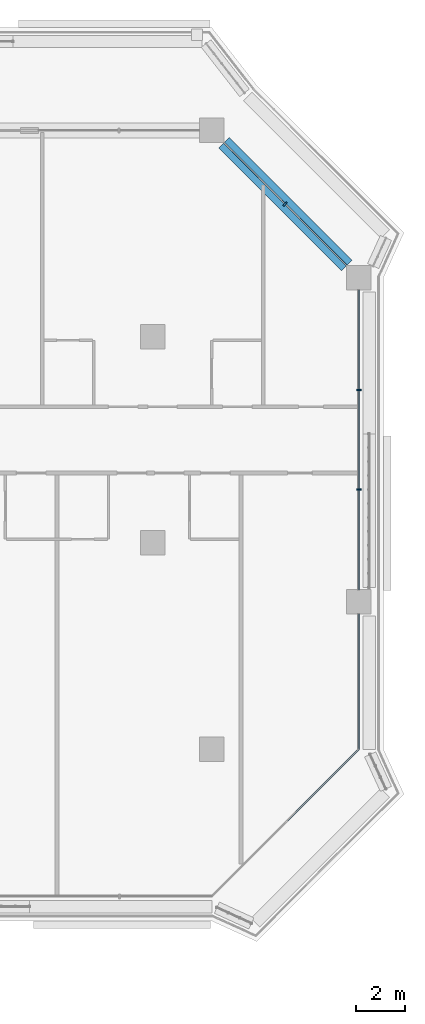
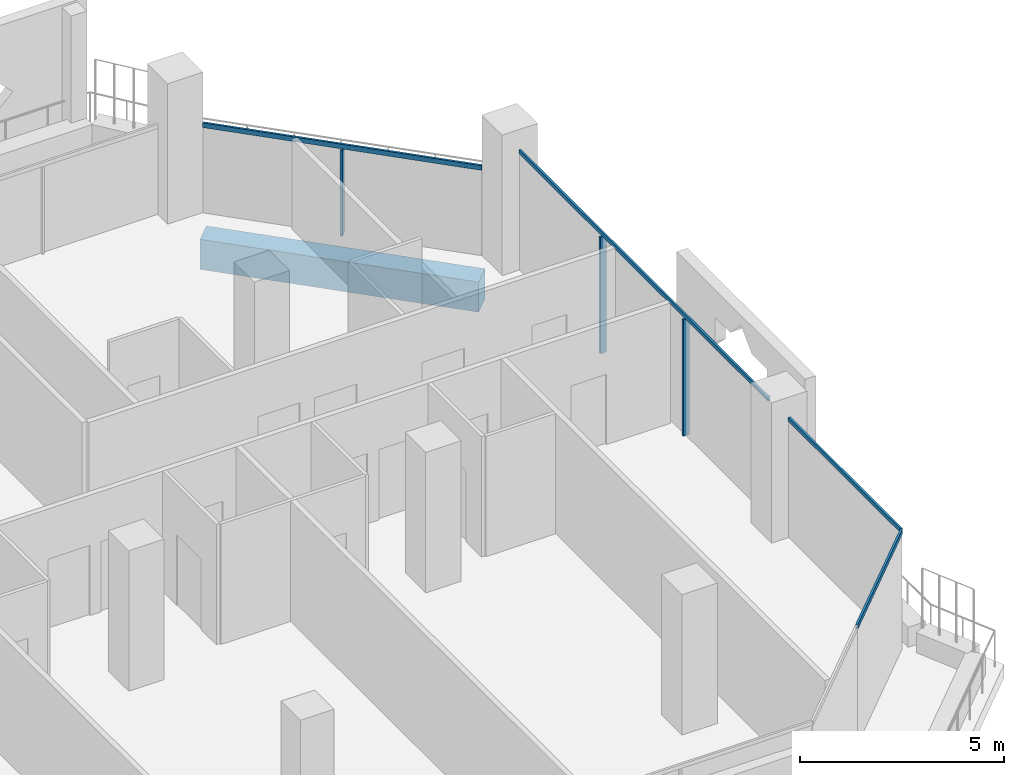
# One storey, part 7 of 22: 7 members, 1 beam, 3 elements without a shape of their own.
"""IFC4 building model written with IfcOpenShell, lengths in metres."""

from ifc_helpers import new_model, si_unit, direction, frame, origin, origin_2d, place, context, subcontext, project, spatial, rectangle, extrude, material, layer, layer_set, material_profile, profile_set, type_object, element, aggregate, save


model = new_model("IFC4")

# Units and contexts
model_context = context("Model", 3, precision=1e-05, world=origin(), true_north=direction((0.0, 1.0)))
body_context = subcontext(model_context, "Body", "Model", "MODEL_VIEW")
ifc_project = project(units=[si_unit("LENGTHUNIT", "METRE"), si_unit("AREAUNIT", "SQUARE_METRE"), si_unit("VOLUMEUNIT", "CUBIC_METRE"), si_unit("PLANEANGLEUNIT", "RADIAN"), si_unit("MASSUNIT", "GRAM", prefix="KILO")], contexts=[model_context])

# Site, building, storey
site_placement = place(None, origin())
site = spatial("IfcSite", under=ifc_project, at=site_placement, CompositionType="ELEMENT")
building_placement = place(site_placement, origin())
building = spatial("IfcBuilding", under=site, at=building_placement, Name="Kawkab Arch Medical Tower", CompositionType="ELEMENT")
storey_placement = place(building_placement, frame((0.0, 0.0, 187.800048828125)))
storey = spatial("IfcBuildingStorey", under=building, at=storey_placement, Name="L43", CompositionType="ELEMENT", Elevation=187.800048828125)

# Curtain wall, members
ifc_material_1 = material(Name="Bronze anodised aluminium curtain wall frame", Category="aluminium")
ifc_layer_1 = layer(ifc_material_1, 0.159912109375)
ifc_layer_set_1 = layer_set([ifc_layer_1], Name="Bronze anodised aluminium curtain wall frame")
curtain_wall_type_1 = type_object("IfcCurtainWallType", Name="CW1 ward curtain wall", PredefinedType="NOTDEFINED", material=ifc_layer_set_1)
placement = place(storey_placement, origin())
curtain_wall_1 = element("IfcCurtainWall", 1, at=placement, inside=storey, type_object=curtain_wall_type_1, Name="CW1 Ward curtain wall R09", PredefinedType="NOTDEFINED")
ifc_material_2 = material(Name="Bronze anodised aluminium curtain wall frame", Category="aluminium")
ifc_material_profile_1 = material_profile(ifc_material_2, rectangle(XDim=0.179931640625, YDim=0.06005859375, at=origin_2d()), Name="AL 60x180")
ifc_profile_set_1 = profile_set([ifc_material_profile_1], Name="Bronze anodised aluminium curtain wall frame")
member_type_1 = type_object("IfcMemberType", Name="CW1 mullion 60 x 180", PredefinedType="MULLION", material=ifc_profile_set_1)
member_1_placement = place(storey_placement, frame((67.199951171875, -14.63330078125, 0.0), z_axis=(0.0, 0.0, 1.0), x_axis=(-1.0, 0.0, 0.0)))
member_1 = element("IfcMember", 2, at=member_1_placement, type_object=member_type_1, Name="CW1 mullion 2.1", PredefinedType="MULLION", context=body_context, shape_type="SweptSolid", body=[
    extrude(rectangle(XDim=0.179931640625, YDim=0.06005859375, at=origin_2d()), origin(), (0.0, 0.0, 1.0), 3.47998046875),
])
member_2_placement = place(storey_placement, frame((67.199951171875, -10.566650390625, 0.0), z_axis=(0.0, 0.0, 1.0), x_axis=(-1.0, 0.0, 0.0)))
member_2 = element("IfcMember", 3, at=member_2_placement, type_object=member_type_1, Name="CW1 mullion 2.2", PredefinedType="MULLION", context=body_context, shape_type="SweptSolid", body=[
    extrude(rectangle(XDim=0.179931640625, YDim=0.06005859375, at=origin_2d()), origin(), (0.0, 0.0, 1.0), 3.47998046875),
])
ifc_material_3 = material(Name="Bronze anodised aluminium curtain wall frame", Category="aluminium")
ifc_material_profile_2 = material_profile(ifc_material_3, rectangle(XDim=0.06005859375, YDim=0.1201171875, at=origin_2d()), Name="AL 60x120")
ifc_profile_set_2 = profile_set([ifc_material_profile_2], Name="Bronze anodised aluminium curtain wall frame")
member_type_2 = type_object("IfcMemberType", Name="CW1 transom 120 x 60", PredefinedType="USERDEFINED", material=ifc_profile_set_2)
member_3_placement = place(storey_placement, frame((67.199951171875, -25.199951171875, 3.5400390625), z_axis=(0.0, 1.0, 0.0), x_axis=(-1.0, 0.0, 0.0)))
member_3 = element("IfcMember", 4, at=member_3_placement, type_object=member_type_2, Name="CW1 transom 1", ObjectType="TRANSOM", PredefinedType="USERDEFINED", context=body_context, shape_type="SweptSolid", body=[
    extrude(rectangle(XDim=0.06005859375, YDim=0.1201171875, at=origin_2d()), origin(), (0.0, 0.0, 1.0), 5.5),
])
member_4_placement = place(storey_placement, frame((67.199951171875, -18.699951171875, 3.5400390625), z_axis=(0.0, 1.0, 0.0), x_axis=(-1.0, 0.0, 0.0)))
member_4 = element("IfcMember", 5, at=member_4_placement, type_object=member_type_2, Name="CW1 transom 2", ObjectType="TRANSOM", PredefinedType="USERDEFINED", context=body_context, shape_type="SweptSolid", body=[
    extrude(rectangle(XDim=0.06005859375, YDim=0.1201171875, at=origin_2d()), origin(), (0.0, 0.0, 1.0), 12.199951171875),
])
aggregate(curtain_wall_1, [member_3, member_4, member_1, member_2])

# Curtain wall, member
ifc_material_4 = material(Name="Bronze anodised aluminium curtain wall frame", Category="aluminium")
ifc_layer_2 = layer(ifc_material_4, 0.159912109375)
ifc_layer_set_2 = layer_set([ifc_layer_2], Name="Bronze anodised aluminium curtain wall frame")
curtain_wall_type_2 = type_object("IfcCurtainWallType", Name="CW2 chamfer curtain wall", PredefinedType="NOTDEFINED", material=ifc_layer_set_2)
curtain_wall_2 = element("IfcCurtainWall", 6, at=placement, inside=storey, type_object=curtain_wall_type_2, Name="CW2 Chamfer curtain wall R10", PredefinedType="NOTDEFINED")
ifc_material_5 = material(Name="Bronze anodised aluminium curtain wall frame", Category="aluminium")
ifc_material_profile_3 = material_profile(ifc_material_5, rectangle(XDim=0.199951171875, YDim=0.06005859375, at=origin_2d()), Name="AL 60x200")
ifc_profile_set_3 = profile_set([ifc_material_profile_3], Name="Bronze anodised aluminium curtain wall frame")
member_type_3 = type_object("IfcMemberType", Name="CW2 mullion 60 x 200", PredefinedType="MULLION", material=ifc_profile_set_3)
member_5_placement = place(storey_placement, frame((64.199951171875, -3.0, 0.0), z_axis=(0.0, 0.0, 1.0), x_axis=(-0.707106781187, -0.707106781187, 0.0)))
member_5 = element("IfcMember", 7, at=member_5_placement, type_object=member_type_3, Name="CW2 mullion 1.1", PredefinedType="MULLION", context=body_context, shape_type="SweptSolid", body=[
    extrude(rectangle(XDim=0.199951171875, YDim=0.06005859375, at=origin_2d()), origin(), (0.0, 0.0, 1.0), 2.56005859375),
])

curtain_wall_3 = element("IfcCurtainWall", 8, at=placement, inside=storey, type_object=curtain_wall_type_2, Name="CW2 Chamfer curtain wall R08", PredefinedType="NOTDEFINED")
ifc_material_6 = material(Name="Bronze anodised aluminium curtain wall frame", Category="aluminium")
ifc_material_profile_4 = material_profile(ifc_material_6, rectangle(XDim=0.06005859375, YDim=0.139892578125, at=origin_2d()), Name="AL 60x140")
ifc_profile_set_4 = profile_set([ifc_material_profile_4], Name="Bronze anodised aluminium curtain wall frame")
member_type_4 = type_object("IfcMemberType", Name="CW2 transom 140 x 60", PredefinedType="USERDEFINED", material=ifc_profile_set_4)
member_6_placement = place(storey_placement, frame((64.199951171875, -28.199951171875, 3.530029296875), z_axis=(0.707106781187, 0.707106781187, 0.0), x_axis=(-0.707106781187, 0.707106781187, 0.0)))
member_6 = element("IfcMember", 9, at=member_6_placement, type_object=member_type_4, Name="CW2 transom 2", ObjectType="TRANSOM", PredefinedType="USERDEFINED", context=body_context, shape_type="SweptSolid", body=[
    extrude(rectangle(XDim=0.06005859375, YDim=0.139892578125, at=origin_2d()), origin(), (0.0, 0.0, 1.0), 4.24267578125),
])
aggregate(curtain_wall_3, [member_6])

# Member
member_7_placement = place(storey_placement, frame((66.699951171875, -5.5, 2.6298828125), z_axis=(-0.707106781187, 0.707106781187, 0.0), x_axis=(-0.707106781187, -0.707106781187, 0.0)))
member_7 = element("IfcMember", 10, at=member_7_placement, type_object=member_type_4, Name="CW2 transom 1", ObjectType="TRANSOM", PredefinedType="USERDEFINED", context=body_context, shape_type="SweptSolid", body=[
    extrude(rectangle(XDim=0.06005859375, YDim=0.139892578125, at=origin_2d()), origin(), (0.0, 0.0, 1.0), 7.071044921875),
])

aggregate(curtain_wall_2, [member_7, member_5])

# Beam
ifc_material_7 = material(Name="Concrete C50/60", Category="concrete")
ifc_material_profile_5 = material_profile(ifc_material_7, rectangle(XDim=0.60009765625, YDim=0.89990234375, at=origin_2d()), Name="RC 600x900")
ifc_profile_set_5 = profile_set([ifc_material_profile_5], Name="Concrete C50/60")
beam_type = type_object("IfcBeamType", Name="RC 600x900 beam C50/60", PredefinedType="BEAM", material=ifc_profile_set_5)
beam_placement = place(storey_placement, frame((61.699951171875, -0.5, -1.050048828125), z_axis=(0.707106781187, -0.707106781187, 0.0), x_axis=(0.707106781187, 0.707106781187, 0.0)))
element("IfcBeam", 11, at=beam_placement, inside=storey, type_object=beam_type, Name="Overhang edge beam L43-08", PredefinedType="BEAM", context=body_context, shape_type="SweptSolid", body=[
    extrude(rectangle(XDim=0.60009765625, YDim=0.89990234375, at=origin_2d()), origin(), (0.0, 0.0, 1.0), 7.071044921875),
])

save(model, "model.ifc")
